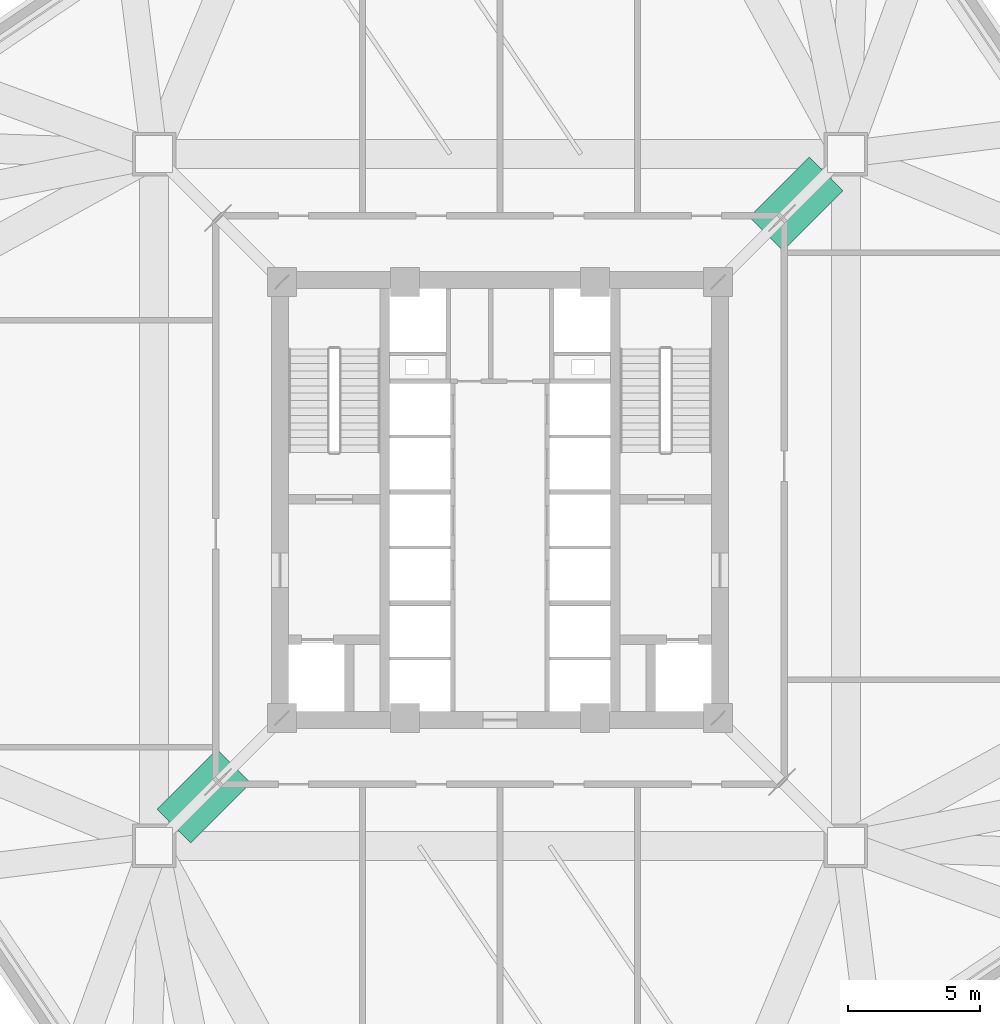
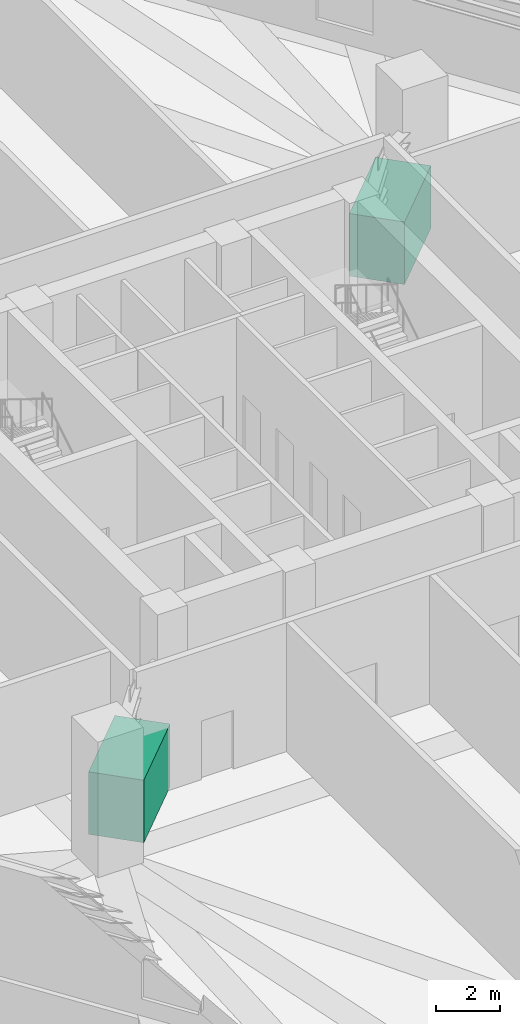
# One storey, part 21 of 21: 2 unitary equipment elements.
"""IFC4 building model written with IfcOpenShell, lengths in metres."""

from ifc_helpers import new_model, si_unit, direction, frame, origin, origin_2d, place, context, subcontext, project, spatial, rectangle, extrude, source, transform, mapped, material, type_object, element, save


model = new_model("IFC4")

# Units and contexts
model_context = context("Model", 3, precision=1e-05, world=origin(), true_north=direction((0.0, 1.0)))
body_context = subcontext(model_context, "Body", "Model", "MODEL_VIEW")
ifc_project = project(units=[si_unit("LENGTHUNIT", "METRE"), si_unit("AREAUNIT", "SQUARE_METRE"), si_unit("VOLUMEUNIT", "CUBIC_METRE"), si_unit("PLANEANGLEUNIT", "RADIAN"), si_unit("MASSUNIT", "GRAM", prefix="KILO"), si_unit("THERMODYNAMICTEMPERATUREUNIT", "KELVIN")], contexts=[model_context])

# Site, building, storey
site_placement = place(None, origin())
site = spatial("IfcSite", under=ifc_project, at=site_placement, CompositionType="ELEMENT")
building_placement = place(site_placement, origin())
building = spatial("IfcBuilding", under=site, at=building_placement, Name="Kosmvard Interchange Tower", CompositionType="ELEMENT")
storey_placement = place(building_placement, frame((0.0, 0.0, 139.199951171875)))
storey = spatial("IfcBuildingStorey", under=building, at=storey_placement, Name="L33", CompositionType="ELEMENT", Elevation=139.199951171875)

# Unitary equipment
ifc_material = material(Name="Steel S355", Category="steel")
unitary_equipment_type = type_object("IfcUnitaryEquipmentType", Name="Centrifugal Water-Cooled Chiller & Heat Recovery Unit", PredefinedType="USERDEFINED", material=ifc_material)
shared_shape = source(origin(), body_context, "Body", "SweptSolid", [
    extrude(rectangle(XDim=3.199951171875, YDim=1.800048828125, at=origin_2d()), origin(), (0.0, 0.0, 1.0), 2.39990234375),
])
for number, where, z_axis, x_axis, name in (
    (1, (11.199951171875, 11.199951171875, 0.0), (0.0, 0.0, 1.0), (0.707106781187, 0.707106781187, 0.0), "L33 Zone Plant Unit CH1"),
    (2, (-11.199951171875, -11.199951171875, 0.0), (0.0, 0.0, 1.0), (0.707106781187, 0.707106781187, 0.0), "L33 Zone Plant Unit AH1"),
):
    element("IfcUnitaryEquipment", number, at=place(storey_placement, frame(where, z_axis=z_axis, x_axis=x_axis)), inside=storey, type_object=unitary_equipment_type, Name=name, ObjectType="CHILLER", PredefinedType="USERDEFINED", context=body_context, shape_type="MappedRepresentation", body=[
        mapped(shared_shape, transform((0.0, 0.0, 0.0), scale=1.0)),
    ])

save(model, "model.ifc")
